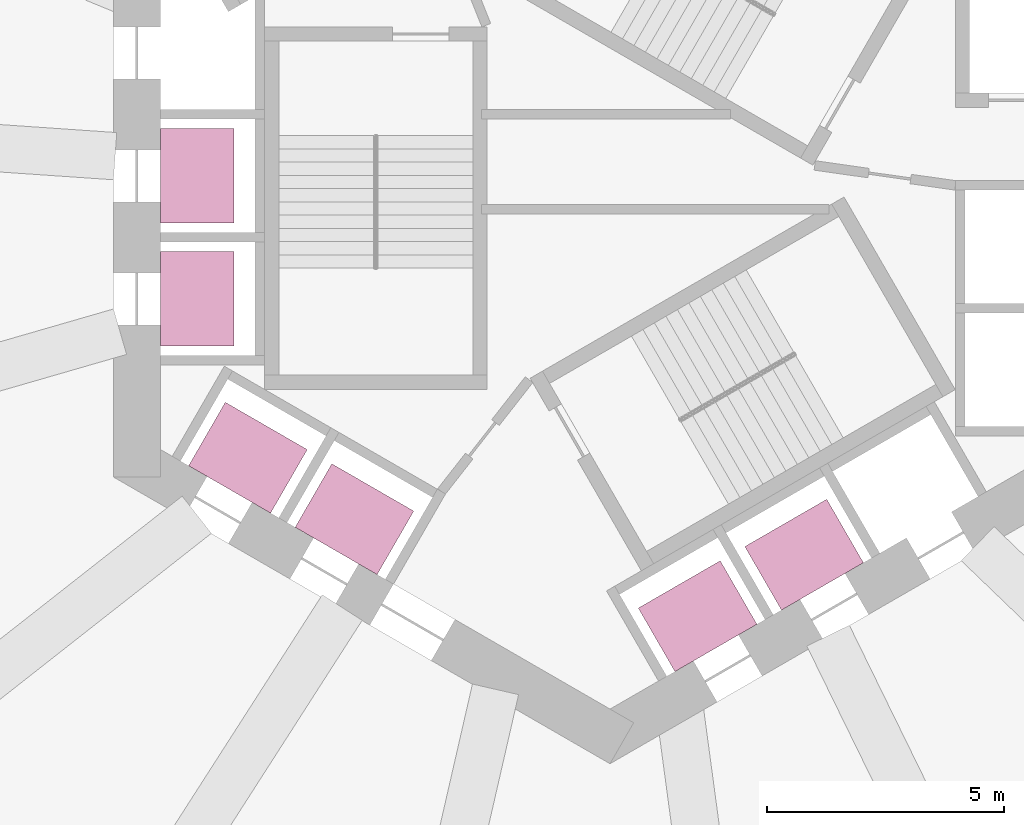
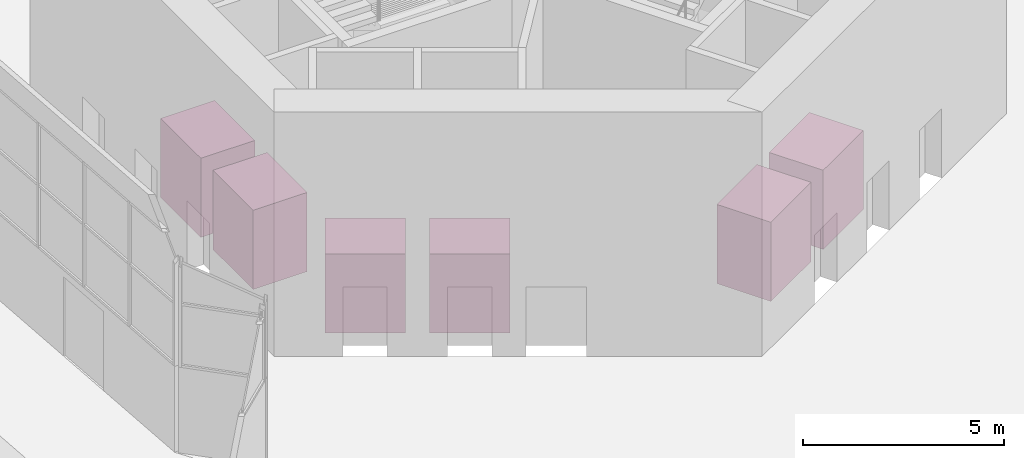
# One storey, part 18 of 19: 6 transport elements.
"""IFC4 building model written with IfcOpenShell, lengths in metres."""

from ifc_helpers import new_model, si_unit, direction, frame, origin, origin_2d, place, context, subcontext, project, spatial, rectangle, extrude, material, type_object, element, save


model = new_model("IFC4")

# Units and contexts
model_context = context("Model", 3, precision=1e-05, world=origin(), true_north=direction((0.0, 1.0)))
body_context = subcontext(model_context, "Body", "Model", "MODEL_VIEW")
ifc_project = project(units=[si_unit("LENGTHUNIT", "METRE"), si_unit("AREAUNIT", "SQUARE_METRE"), si_unit("VOLUMEUNIT", "CUBIC_METRE"), si_unit("PLANEANGLEUNIT", "RADIAN"), si_unit("MASSUNIT", "GRAM", prefix="KILO")], contexts=[model_context])

# Site, building, storey
site_placement = place(None, origin())
site = spatial("IfcSite", under=ifc_project, at=site_placement, CompositionType="ELEMENT")
building_placement = place(site_placement, origin())
building = spatial("IfcBuilding", under=site, at=building_placement, Name="Vanh Sen Convention Tower", CompositionType="ELEMENT")
storey_placement = place(building_placement, frame((0.0, 0.0, 139.199951171875)))
storey = spatial("IfcBuildingStorey", under=building, at=storey_placement, Name="L34", CompositionType="ELEMENT", Elevation=139.199951171875)

# Transport elements
ifc_material = material(Name="Stainless steel lift car", Category="steel")
transport_element_type = type_object("IfcTransportElementType", Name="High-rise passenger lift car 1350 kg", PredefinedType="ELEVATOR", material=ifc_material)
for number, where, z_axis, x_axis, name in (
    (1, (-8.72509765625, 0.300048828125, 0.0), (0.0, 0.0, 1.0), (0.0, -1.0, 0.0), "Lift car HR1"),
    (2, (-8.72509765625, -2.300048828125, 0.0), (0.0, 0.0, 1.0), (0.0, -1.0, 0.0), "Lift car HR2"),
    (3, (-7.6533203125, -5.656005859375, 0.0), (0.0, 0.0, 1.0), (0.866025403784, -0.5, 0.0), "Lift car HR3"),
    (4, (-5.401611328125, -6.9560546875, 0.0), (0.0, 0.0, 1.0), (0.866025403784, -0.5, 0.0), "Lift car HR4"),
    (5, (1.85107421875, -9.006103515625, 0.0), (0.0, 0.0, 1.0), (0.866025403784, 0.5, 0.0), "Lift car HR5"),
    (6, (4.102783203125, -7.7060546875, 0.0), (0.0, 0.0, 1.0), (0.866025403784, 0.5, 0.0), "Lift car HR6"),
):
    element("IfcTransportElement", number, at=place(storey_placement, frame(where, z_axis=z_axis, x_axis=x_axis)), inside=storey, type_object=transport_element_type, Name=name, PredefinedType="ELEVATOR", context=body_context, shape_type="SweptSolid", body=[
        extrude(rectangle(XDim=2.0, YDim=1.550048828125, at=origin_2d()), origin(), (0.0, 0.0, 1.0), 2.39990234375),
    ])

save(model, "model.ifc")
